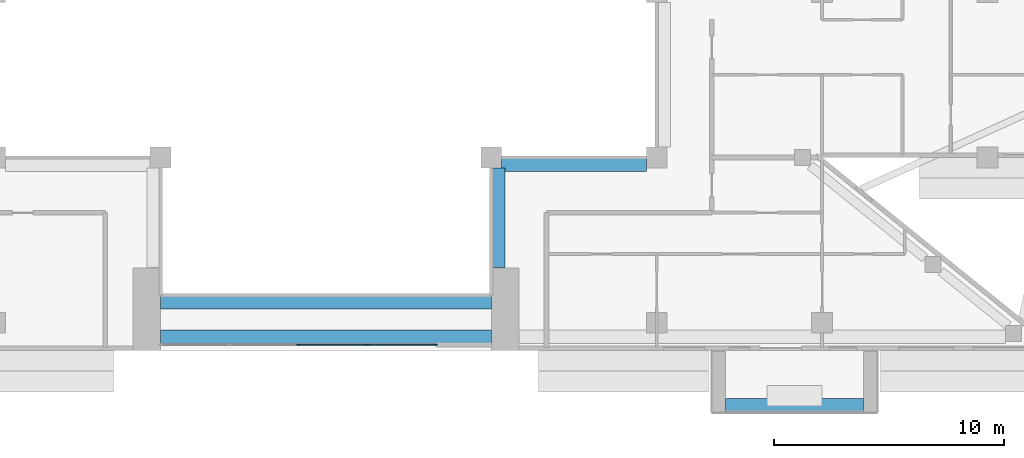
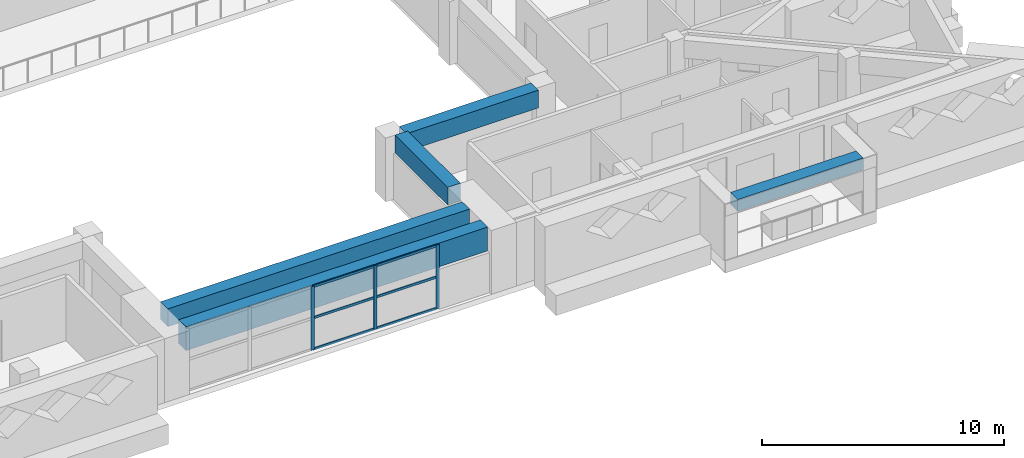
# One storey, part 4 of 19: 9 members, 5 beams, 1 element without a shape of its own.
"""IFC4 building model written with IfcOpenShell, lengths in metres."""

from ifc_helpers import new_model, si_unit, direction, frame, origin, origin_2d, place, context, subcontext, project, spatial, rectangle, extrude, source, transform, mapped, material, layer, layer_set, material_profile, profile_set, type_object, element, aggregate, save


model = new_model("IFC4")

# Units and contexts
model_context = context("Model", 3, precision=1e-05, world=origin(), true_north=direction((0.0, 1.0)))
body_context = subcontext(model_context, "Body", "Model", "MODEL_VIEW")
ifc_project = project(units=[si_unit("LENGTHUNIT", "METRE"), si_unit("AREAUNIT", "SQUARE_METRE"), si_unit("VOLUMEUNIT", "CUBIC_METRE"), si_unit("PLANEANGLEUNIT", "RADIAN"), si_unit("MASSUNIT", "GRAM", prefix="KILO")], contexts=[model_context])

# Site, building, storey
site_placement = place(None, origin())
site = spatial("IfcSite", under=ifc_project, at=site_placement, CompositionType="ELEMENT")
building_placement = place(site_placement, origin())
building = spatial("IfcBuilding", under=site, at=building_placement, Name="Saffron Iwan Residences", CompositionType="ELEMENT")
storey_placement = place(building_placement, frame((0.0, 0.0, 215.0)))
storey = spatial("IfcBuildingStorey", under=building, at=storey_placement, Name="L57", CompositionType="ELEMENT", Elevation=215.0)

# Beams
ifc_material_1 = material(Name="Concrete C40/50", Category="concrete")
ifc_material_profile_1 = material_profile(ifc_material_1, rectangle(XDim=0.60009765625, YDim=1.199951171875, at=origin_2d()), Name="RC 600x1200")
ifc_profile_set_1 = profile_set([ifc_material_profile_1], Name="Concrete C40/50")
beam_type_1 = type_object("IfcBeamType", Name="LINTEL BEAM RC 600x1200 C40/50 TOP 3220", PredefinedType="LINTEL", material=ifc_profile_set_1)
shared_shape_1 = source(origin(), body_context, "Body", "SweptSolid", [
    extrude(rectangle(XDim=0.60009765625, YDim=1.199951171875, at=origin_2d()), origin(), (0.0, 0.0, 1.0), 14.400146484375),
])
beam_1_placement = place(storey_placement, frame((57.60009765625, 40.199951171875, 2.6201171875), z_axis=(-1.0, 0.0, 0.0), x_axis=(0.0, -1.0, 0.0)))
element("IfcBeam", 1, at=beam_1_placement, inside=storey, type_object=beam_type_1, Name="Lintel beam over the iwan", PredefinedType="LINTEL", context=body_context, shape_type="MappedRepresentation", body=[
    mapped(shared_shape_1, transform((0.0, 0.0, 0.0))),
])
ifc_material_profile_2 = material_profile(ifc_material_1, rectangle(XDim=0.60009765625, YDim=0.89990234375, at=origin_2d()), Name="RC 600x900")
ifc_profile_set_2 = profile_set([ifc_material_profile_2], Name="Concrete C40/50")
beam_type_2 = type_object("IfcBeamType", Name="BEAM RC 600x900 C40/50 TOP 3220", PredefinedType="BEAM", material=ifc_profile_set_2)
shared_shape_2 = source(origin(), body_context, "Body", "SweptSolid", [
    extrude(rectangle(XDim=0.60009765625, YDim=0.89990234375, at=origin_2d()), origin(), (0.0, 0.0, 1.0), 14.400146484375),
])
beam_2_placement = place(storey_placement, frame((57.60009765625, 41.699951171875, 2.77001953125), z_axis=(-1.0, 0.0, 0.0), x_axis=(0.0, -1.0, 0.0)))
element("IfcBeam", 2, at=beam_2_placement, inside=storey, type_object=beam_type_2, Name="Atrium edge beam", PredefinedType="BEAM", context=body_context, shape_type="MappedRepresentation", body=[
    mapped(shared_shape_2, transform((0.0, 0.0, 0.0))),
])
shared_shape_3 = source(origin(), body_context, "Body", "SweptSolid", [
    extrude(rectangle(XDim=0.60009765625, YDim=0.89990234375, at=origin_2d()), origin(), (0.0, 0.0, 1.0), 4.35009765625),
])
beam_3_placement = place(storey_placement, frame((57.89990234375, 47.550048828125, 2.77001953125), z_axis=(0.0, -1.0, 0.0), x_axis=(1.0, 0.0, 0.0)))
element("IfcBeam", 3, at=beam_3_placement, inside=storey, type_object=beam_type_2, Name="Atrium edge beam", PredefinedType="BEAM", context=body_context, shape_type="MappedRepresentation", body=[
    mapped(shared_shape_3, transform((0.0, 0.0, 0.0))),
])
shared_shape_4 = source(origin(), body_context, "Body", "SweptSolid", [
    extrude(rectangle(XDim=0.60009765625, YDim=0.89990234375, at=origin_2d()), origin(), (0.0, 0.0, 1.0), 6.300048828125),
])
beam_4_placement = place(storey_placement, frame((64.35009765625, 47.699951171875, 2.77001953125), z_axis=(-1.0, 0.0, 0.0), x_axis=(0.0, -1.0, 0.0)))
element("IfcBeam", 4, at=beam_4_placement, inside=storey, type_object=beam_type_2, Name="Atrium edge beam", PredefinedType="BEAM", context=body_context, shape_type="MappedRepresentation", body=[
    mapped(shared_shape_4, transform((0.0, 0.0, 0.0))),
])

# Curtain wall, members
ifc_material_2 = material(Name="Clear glass, laminated double glazed", Category="glass")
ifc_layer = layer(ifc_material_2, 0.199951171875)
ifc_layer_set = layer_set([ifc_layer], Name="Clear glass, laminated double glazed")
curtain_wall_type = type_object("IfcCurtainWallType", Name="CW-B IWAN PORTAL", PredefinedType="NOTDEFINED", material=ifc_layer_set)
curtain_wall_placement = place(storey_placement, origin())
curtain_wall = element("IfcCurtainWall", 5, at=curtain_wall_placement, inside=storey, type_object=curtain_wall_type, Name="Iwan portal glazing L57.1", PredefinedType="NOTDEFINED")
ifc_material_3 = material(Name="Aluminium 6063-T6", Category="aluminium")
ifc_material_profile_3 = material_profile(ifc_material_3, rectangle(XDim=0.06005859375, YDim=0.1201171875, at=origin_2d()), Name="CW-B TRANSOM 60 x 120")
ifc_profile_set_3 = profile_set([ifc_material_profile_3], Name="Aluminium 6063-T6")
member_type_1 = type_object("IfcMemberType", Name="CW-B TRANSOM 60 x 120", PredefinedType="USERDEFINED", material=ifc_profile_set_3)
shared_shape_5 = source(origin(), body_context, "Body", "SweptSolid", [
    extrude(rectangle(XDim=0.06005859375, YDim=0.1201171875, at=origin_2d()), origin(), (0.0, 0.0, 1.0), 2.909912109375),
])
member_1_placement = place(storey_placement, frame((52.22998046875, 39.85009765625, 0.030029296875), z_axis=(1.0, 0.0, 0.0), x_axis=(0.0, 1.0, 0.0)))
member_1 = element("IfcMember", 6, at=member_1_placement, type_object=member_type_1, Name="CW-B transom 4.1", ObjectType="TRANSOM", PredefinedType="USERDEFINED", context=body_context, shape_type="MappedRepresentation", body=[
    mapped(shared_shape_5, transform((0.0, 0.0, 0.0))),
])
member_2_placement = place(storey_placement, frame((52.22998046875, 39.85009765625, 1.610107421875), z_axis=(1.0, 0.0, 0.0), x_axis=(0.0, 1.0, 0.0)))
member_2 = element("IfcMember", 7, at=member_2_placement, type_object=member_type_1, Name="CW-B transom 4.2", ObjectType="TRANSOM", PredefinedType="USERDEFINED", context=body_context, shape_type="MappedRepresentation", body=[
    mapped(shared_shape_5, transform((0.0, 0.0, 0.0))),
])
member_3_placement = place(storey_placement, frame((52.22998046875, 39.85009765625, 3.18994140625), z_axis=(1.0, 0.0, 0.0), x_axis=(0.0, 1.0, 0.0)))
member_3 = element("IfcMember", 8, at=member_3_placement, type_object=member_type_1, Name="CW-B transom 4.3", ObjectType="TRANSOM", PredefinedType="USERDEFINED", context=body_context, shape_type="MappedRepresentation", body=[
    mapped(shared_shape_5, transform((0.0, 0.0, 0.0))),
])
shared_shape_6 = source(origin(), body_context, "Body", "SweptSolid", [
    extrude(rectangle(XDim=0.06005859375, YDim=0.1201171875, at=origin_2d()), origin(), (0.0, 0.0, 1.0), 2.93994140625),
])
member_4_placement = place(storey_placement, frame((49.22998046875, 39.85009765625, 0.030029296875), z_axis=(1.0, 0.0, 0.0), x_axis=(0.0, 1.0, 0.0)))
member_4 = element("IfcMember", 9, at=member_4_placement, type_object=member_type_1, Name="CW-B transom 3.1", ObjectType="TRANSOM", PredefinedType="USERDEFINED", context=body_context, shape_type="MappedRepresentation", body=[
    mapped(shared_shape_6, transform((0.0, 0.0, 0.0))),
])
member_5_placement = place(storey_placement, frame((49.22998046875, 39.85009765625, 1.610107421875), z_axis=(1.0, 0.0, 0.0), x_axis=(0.0, 1.0, 0.0)))
member_5 = element("IfcMember", 10, at=member_5_placement, type_object=member_type_1, Name="CW-B transom 3.2", ObjectType="TRANSOM", PredefinedType="USERDEFINED", context=body_context, shape_type="MappedRepresentation", body=[
    mapped(shared_shape_6, transform((0.0, 0.0, 0.0))),
])
member_6_placement = place(storey_placement, frame((49.22998046875, 39.85009765625, 3.18994140625), z_axis=(1.0, 0.0, 0.0), x_axis=(0.0, 1.0, 0.0)))
member_6 = element("IfcMember", 11, at=member_6_placement, type_object=member_type_1, Name="CW-B transom 3.3", ObjectType="TRANSOM", PredefinedType="USERDEFINED", context=body_context, shape_type="MappedRepresentation", body=[
    mapped(shared_shape_6, transform((0.0, 0.0, 0.0))),
])

# Beam
ifc_material_4 = material(Name="Concrete C50/60 white painted", Category="concrete")
ifc_material_profile_4 = material_profile(ifc_material_4, rectangle(XDim=0.60009765625, YDim=0.60009765625, at=origin_2d()), Name="BALCONY FASCIA BEAM 600 x 600")
ifc_profile_set_4 = profile_set([ifc_material_profile_4], Name="Concrete C50/60 white painted")
beam_type_3 = type_object("IfcBeamType", Name="BALCONY FASCIA BEAM 600 x 600", PredefinedType="BEAM", material=ifc_profile_set_4)
shared_shape_7 = source(origin(), body_context, "Body", "SweptSolid", [
    extrude(rectangle(XDim=0.60009765625, YDim=0.60009765625, at=origin_2d()), origin(), (0.0, 0.0, 1.0), 6.0),
])
beam_5_placement = place(storey_placement, frame((67.800048828125, 37.199951171875, 2.550048828125), z_axis=(1.0, 0.0, 0.0), x_axis=(0.0, 1.0, 0.0)))
element("IfcBeam", 12, at=beam_5_placement, inside=storey, type_object=beam_type_3, Name="Balcony fascia beam L57 11-1", PredefinedType="BEAM", context=body_context, shape_type="MappedRepresentation", body=[
    mapped(shared_shape_7, transform((0.0, 0.0, 0.0))),
])

# Member
ifc_material_profile_5 = material_profile(ifc_material_3, rectangle(XDim=0.06005859375, YDim=0.159912109375, at=origin_2d()), Name="CW-B MULLION 60 x 160")
ifc_profile_set_5 = profile_set([ifc_material_profile_5], Name="Aluminium 6063-T6")
member_type_2 = type_object("IfcMemberType", Name="CW-B MULLION 60 x 160", PredefinedType="MULLION", material=ifc_profile_set_5)
shared_shape_8 = source(origin(), body_context, "Body", "SweptSolid", [
    extrude(rectangle(XDim=0.06005859375, YDim=0.159912109375, at=origin_2d()), origin(), (0.0, 0.0, 1.0), 3.219970703125),
])
member_7_placement = place(storey_placement, frame((49.199951171875, 39.85009765625, 0.0), z_axis=(0.0, 0.0, 1.0), x_axis=(0.0, 1.0, 0.0)))
member_7 = element("IfcMember", 13, at=member_7_placement, type_object=member_type_2, Name="CW-B mullion 3", PredefinedType="MULLION", context=body_context, shape_type="MappedRepresentation", body=[
    mapped(shared_shape_8, transform((0.0, 0.0, 0.0))),
])

member_8_placement = place(storey_placement, frame((52.199951171875, 39.85009765625, 0.0), z_axis=(0.0, 0.0, 1.0), x_axis=(0.0, 1.0, 0.0)))
member_8 = element("IfcMember", 14, at=member_8_placement, type_object=member_type_2, Name="CW-B mullion 4", PredefinedType="MULLION", context=body_context, shape_type="MappedRepresentation", body=[
    mapped(shared_shape_8, transform((0.0, 0.0, 0.0))),
])

member_9_placement = place(storey_placement, frame((55.169921875, 39.85009765625, 0.0), z_axis=(0.0, 0.0, 1.0), x_axis=(0.0, 1.0, 0.0)))
member_9 = element("IfcMember", 15, at=member_9_placement, type_object=member_type_2, Name="CW-B mullion 5", PredefinedType="MULLION", context=body_context, shape_type="MappedRepresentation", body=[
    mapped(shared_shape_8, transform((0.0, 0.0, 0.0))),
])

aggregate(curtain_wall, [member_7, member_8, member_9, member_4, member_5, member_6, member_1, member_2, member_3])

save(model, "model.ifc")
